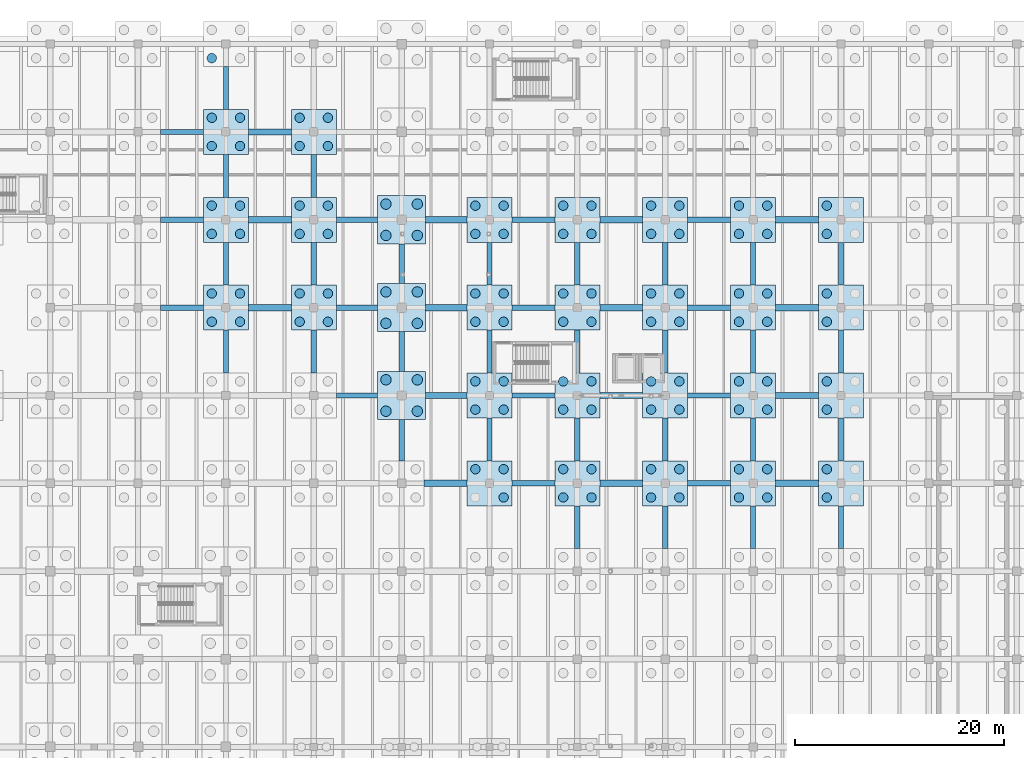
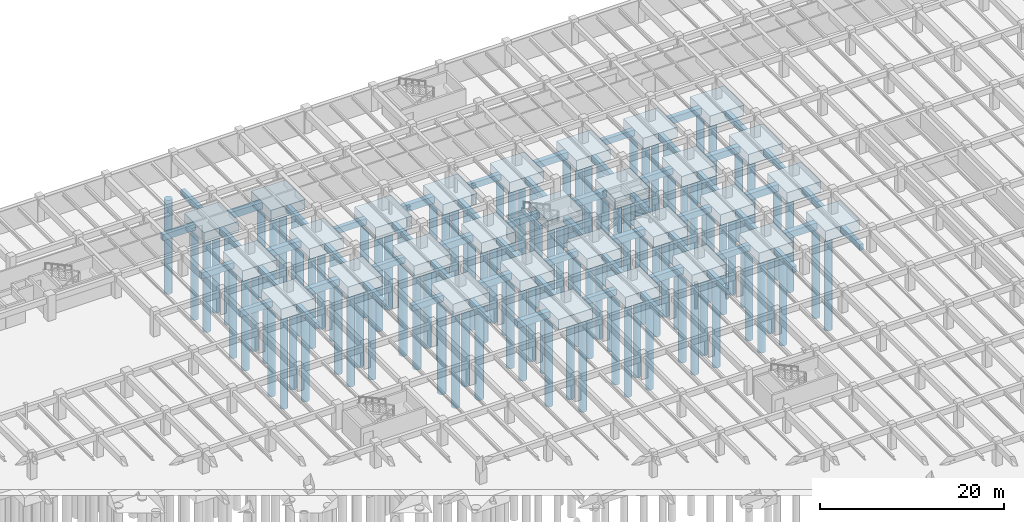
# One storey, part 8 of 70: 108 piles, 87 footings.
"""IFC4 building model written with IfcOpenShell, lengths in metres."""

from ifc_helpers import new_model, si_unit, direction, frame, origin, origin_2d, place, context, subcontext, project, spatial, rectangle, circle, extrude, material, material_profile, profile_set, type_object, element, save


model = new_model("IFC4")

# Units and contexts
model_context = context("Model", 3, precision=1e-05, world=origin(), true_north=direction((0.0, 1.0)))
body_context = subcontext(model_context, "Body", "Model", "MODEL_VIEW")
ifc_project = project(units=[si_unit("LENGTHUNIT", "METRE"), si_unit("AREAUNIT", "SQUARE_METRE"), si_unit("VOLUMEUNIT", "CUBIC_METRE"), si_unit("PLANEANGLEUNIT", "RADIAN"), si_unit("MASSUNIT", "GRAM", prefix="KILO")], contexts=[model_context])

# Site, building, storey
site_placement = place(None, origin())
site = spatial("IfcSite", under=ifc_project, at=site_placement, CompositionType="ELEMENT")
building_placement = place(site_placement, origin())
building = spatial("IfcBuilding", under=site, at=building_placement, Name="Cumbredor Promenade Congress Hotel", CompositionType="ELEMENT")
storey_placement = place(building_placement, frame((0.0, 0.0, -7.56005859375)))
storey = spatial("IfcBuildingStorey", under=building, at=storey_placement, Name="B02", CompositionType="ELEMENT", Elevation=-7.56005859375)

# Piles
ifc_material = material(Name="Concrete C40/50", Category="concrete")
ifc_material_profile_1 = material_profile(ifc_material, circle(Radius=0.449951171875, at=origin_2d()), Name="PILE D900")
ifc_profile_set_1 = profile_set([ifc_material_profile_1], Name="Concrete C40/50")
pile_type_1 = type_object("IfcPileType", Name="Bored Concrete Pile BP-02 900mm", PredefinedType="BORED", material=ifc_profile_set_1)
for number, where, z_axis, x_axis, name in (
    (1, (65.85009765625, 91.050048828125, -1.75), (0.0, 0.0, -1.0), (1.0, 0.0, 0.0), "Bored Pile PC-02-110.1"),
    (2, (68.550048828125, 91.050048828125, -1.75), (0.0, 0.0, -1.0), (1.0, 0.0, 0.0), "Bored Pile PC-02-110.2"),
    (3, (65.85009765625, 93.75, -1.75), (0.0, 0.0, -1.0), (1.0, 0.0, 0.0), "Bored Pile PC-02-110.3"),
    (4, (68.550048828125, 93.75, -1.75), (0.0, 0.0, -1.0), (1.0, 0.0, 0.0), "Bored Pile PC-02-110.4"),
    (5, (65.85009765625, 99.449951171875, -1.75), (0.0, 0.0, -1.0), (1.0, 0.0, 0.0), "Bored Pile PC-02-111.1"),
    (6, (68.550048828125, 99.449951171875, -1.75), (0.0, 0.0, -1.0), (1.0, 0.0, 0.0), "Bored Pile PC-02-111.2"),
    (7, (65.85009765625, 102.14990234375, -1.75), (0.0, 0.0, -1.0), (1.0, 0.0, 0.0), "Bored Pile PC-02-111.3"),
    (8, (68.550048828125, 102.14990234375, -1.75), (0.0, 0.0, -1.0), (1.0, 0.0, 0.0), "Bored Pile PC-02-111.4"),
    (9, (65.85009765625, 107.85009765625, -1.75), (0.0, 0.0, -1.0), (1.0, 0.0, 0.0), "Bored Pile PC-02-112.1"),
    (10, (68.550048828125, 107.85009765625, -1.75), (0.0, 0.0, -1.0), (1.0, 0.0, 0.0), "Bored Pile PC-02-112.2"),
    (11, (65.85009765625, 110.550048828125, -1.75), (0.0, 0.0, -1.0), (1.0, 0.0, 0.0), "Bored Pile PC-02-112.3"),
    (12, (68.550048828125, 110.550048828125, -1.75), (0.0, 0.0, -1.0), (1.0, 0.0, 0.0), "Bored Pile PC-02-112.4"),
    (13, (65.85009765625, 116.25, -1.75), (0.0, 0.0, -1.0), (1.0, 0.0, 0.0), "Bored Pile PC-02-113.1"),
    (14, (74.25, 91.050048828125, -1.75), (0.0, 0.0, -1.0), (1.0, 0.0, 0.0), "Bored Pile PC-02-124.1"),
    (15, (76.949951171875, 91.050048828125, -1.75), (0.0, 0.0, -1.0), (1.0, 0.0, 0.0), "Bored Pile PC-02-124.2"),
    (16, (74.25, 93.75, -1.75), (0.0, 0.0, -1.0), (1.0, 0.0, 0.0), "Bored Pile PC-02-124.3"),
    (17, (76.949951171875, 93.75, -1.75), (0.0, 0.0, -1.0), (1.0, 0.0, 0.0), "Bored Pile PC-02-124.4"),
    (18, (74.25, 99.449951171875, -1.75), (0.0, 0.0, -1.0), (1.0, 0.0, 0.0), "Bored Pile PC-02-125.1"),
    (19, (76.949951171875, 99.449951171875, -1.75), (0.0, 0.0, -1.0), (1.0, 0.0, 0.0), "Bored Pile PC-02-125.2"),
    (20, (74.25, 102.14990234375, -1.75), (0.0, 0.0, -1.0), (1.0, 0.0, 0.0), "Bored Pile PC-02-125.3"),
    (21, (76.949951171875, 102.14990234375, -1.75), (0.0, 0.0, -1.0), (1.0, 0.0, 0.0), "Bored Pile PC-02-125.4"),
    (22, (74.25, 107.85009765625, -1.75), (0.0, 0.0, -1.0), (1.0, 0.0, 0.0), "Bored Pile PC-02-126.1"),
    (23, (76.949951171875, 107.85009765625, -1.75), (0.0, 0.0, -1.0), (1.0, 0.0, 0.0), "Bored Pile PC-02-126.2"),
    (24, (74.25, 110.550048828125, -1.75), (0.0, 0.0, -1.0), (1.0, 0.0, 0.0), "Bored Pile PC-02-126.3"),
    (25, (76.949951171875, 110.550048828125, -1.75), (0.0, 0.0, -1.0), (1.0, 0.0, 0.0), "Bored Pile PC-02-126.4"),
    (26, (93.75, 74.25, -1.75), (0.0, 0.0, -1.0), (1.0, 0.0, 0.0), "Bored Pile PC-02-150.2"),
    (27, (91.050048828125, 76.949951171875, -1.75), (0.0, 0.0, -1.0), (1.0, 0.0, 0.0), "Bored Pile PC-02-150.3"),
    (28, (93.75, 76.949951171875, -1.75), (0.0, 0.0, -1.0), (1.0, 0.0, 0.0), "Bored Pile PC-02-150.4"),
    (29, (91.050048828125, 82.64990234375, -1.75), (0.0, 0.0, -1.0), (1.0, 0.0, 0.0), "Bored Pile PC-02-151.1"),
    (30, (93.75, 82.64990234375, -1.75), (0.0, 0.0, -1.0), (1.0, 0.0, 0.0), "Bored Pile PC-02-151.2"),
    (31, (91.050048828125, 85.35009765625, -1.75), (0.0, 0.0, -1.0), (1.0, 0.0, 0.0), "Bored Pile PC-02-151.3"),
    (32, (93.75, 85.35009765625, -1.75), (0.0, 0.0, -1.0), (1.0, 0.0, 0.0), "Bored Pile PC-02-151.4"),
    (33, (91.050048828125, 91.050048828125, -1.75), (0.0, 0.0, -1.0), (1.0, 0.0, 0.0), "Bored Pile PC-02-152.1"),
    (34, (93.75, 91.050048828125, -1.75), (0.0, 0.0, -1.0), (1.0, 0.0, 0.0), "Bored Pile PC-02-152.2"),
    (35, (91.050048828125, 93.75, -1.75), (0.0, 0.0, -1.0), (1.0, 0.0, 0.0), "Bored Pile PC-02-152.3"),
    (36, (93.75, 93.75, -1.75), (0.0, 0.0, -1.0), (1.0, 0.0, 0.0), "Bored Pile PC-02-152.4"),
    (37, (91.050048828125, 99.449951171875, -1.75), (0.0, 0.0, -1.0), (1.0, 0.0, 0.0), "Bored Pile PC-02-153.1"),
    (38, (93.75, 99.449951171875, -1.75), (0.0, 0.0, -1.0), (1.0, 0.0, 0.0), "Bored Pile PC-02-153.2"),
    (39, (91.050048828125, 102.14990234375, -1.75), (0.0, 0.0, -1.0), (1.0, 0.0, 0.0), "Bored Pile PC-02-153.3"),
    (40, (93.75, 102.14990234375, -1.75), (0.0, 0.0, -1.0), (1.0, 0.0, 0.0), "Bored Pile PC-02-153.4"),
    (41, (99.449951171875, 74.25, -1.75), (0.0, 0.0, -1.0), (1.0, 0.0, 0.0), "Bored Pile PC-02-164.1"),
    (42, (102.14990234375, 74.25, -1.75), (0.0, 0.0, -1.0), (1.0, 0.0, 0.0), "Bored Pile PC-02-164.2"),
    (43, (99.449951171875, 76.949951171875, -1.75), (0.0, 0.0, -1.0), (1.0, 0.0, 0.0), "Bored Pile PC-02-164.3"),
    (44, (102.14990234375, 76.949951171875, -1.75), (0.0, 0.0, -1.0), (1.0, 0.0, 0.0), "Bored Pile PC-02-164.4"),
    (45, (99.449951171875, 82.64990234375, -1.75), (0.0, 0.0, -1.0), (1.0, 0.0, 0.0), "Bored Pile PC-02-165.1"),
    (46, (102.14990234375, 82.64990234375, -1.75), (0.0, 0.0, -1.0), (1.0, 0.0, 0.0), "Bored Pile PC-02-165.2"),
    (47, (99.449951171875, 85.35009765625, -1.75), (0.0, 0.0, -1.0), (1.0, 0.0, 0.0), "Bored Pile PC-02-165.3"),
    (48, (102.14990234375, 85.35009765625, -1.75), (0.0, 0.0, -1.0), (1.0, 0.0, 0.0), "Bored Pile PC-02-165.4"),
    (49, (99.449951171875, 91.050048828125, -1.75), (0.0, 0.0, -1.0), (1.0, 0.0, 0.0), "Bored Pile PC-02-166.1"),
    (50, (102.14990234375, 91.050048828125, -1.75), (0.0, 0.0, -1.0), (1.0, 0.0, 0.0), "Bored Pile PC-02-166.2"),
    (51, (99.449951171875, 93.75, -1.75), (0.0, 0.0, -1.0), (1.0, 0.0, 0.0), "Bored Pile PC-02-166.3"),
    (52, (102.14990234375, 93.75, -1.75), (0.0, 0.0, -1.0), (1.0, 0.0, 0.0), "Bored Pile PC-02-166.4"),
    (53, (99.449951171875, 99.449951171875, -1.75), (0.0, 0.0, -1.0), (1.0, 0.0, 0.0), "Bored Pile PC-02-167.1"),
    (54, (102.14990234375, 99.449951171875, -1.75), (0.0, 0.0, -1.0), (1.0, 0.0, 0.0), "Bored Pile PC-02-167.2"),
    (55, (99.449951171875, 102.14990234375, -1.75), (0.0, 0.0, -1.0), (1.0, 0.0, 0.0), "Bored Pile PC-02-167.3"),
    (56, (102.14990234375, 102.14990234375, -1.75), (0.0, 0.0, -1.0), (1.0, 0.0, 0.0), "Bored Pile PC-02-167.4"),
    (57, (107.85009765625, 74.25, -1.75), (0.0, 0.0, -1.0), (1.0, 0.0, 0.0), "Bored Pile PC-02-178.1"),
    (58, (110.550048828125, 74.25, -1.75), (0.0, 0.0, -1.0), (1.0, 0.0, 0.0), "Bored Pile PC-02-178.2"),
    (59, (107.85009765625, 76.949951171875, -1.75), (0.0, 0.0, -1.0), (1.0, 0.0, 0.0), "Bored Pile PC-02-178.3"),
    (60, (110.550048828125, 76.949951171875, -1.75), (0.0, 0.0, -1.0), (1.0, 0.0, 0.0), "Bored Pile PC-02-178.4"),
    (61, (107.85009765625, 82.64990234375, -1.75), (0.0, 0.0, -1.0), (1.0, 0.0, 0.0), "Bored Pile PC-02-179.1"),
    (62, (110.550048828125, 82.64990234375, -1.75), (0.0, 0.0, -1.0), (1.0, 0.0, 0.0), "Bored Pile PC-02-179.2"),
    (63, (107.85009765625, 85.35009765625, -1.75), (0.0, 0.0, -1.0), (1.0, 0.0, 0.0), "Bored Pile PC-02-179.3"),
    (64, (110.550048828125, 85.35009765625, -1.75), (0.0, 0.0, -1.0), (1.0, 0.0, 0.0), "Bored Pile PC-02-179.4"),
    (65, (107.85009765625, 91.050048828125, -1.75), (0.0, 0.0, -1.0), (1.0, 0.0, 0.0), "Bored Pile PC-02-180.1"),
    (66, (110.550048828125, 91.050048828125, -1.75), (0.0, 0.0, -1.0), (1.0, 0.0, 0.0), "Bored Pile PC-02-180.2"),
    (67, (107.85009765625, 93.75, -1.75), (0.0, 0.0, -1.0), (1.0, 0.0, 0.0), "Bored Pile PC-02-180.3"),
    (68, (110.550048828125, 93.75, -1.75), (0.0, 0.0, -1.0), (1.0, 0.0, 0.0), "Bored Pile PC-02-180.4"),
    (69, (107.85009765625, 99.449951171875, -1.75), (0.0, 0.0, -1.0), (1.0, 0.0, 0.0), "Bored Pile PC-02-181.1"),
    (70, (110.550048828125, 99.449951171875, -1.75), (0.0, 0.0, -1.0), (1.0, 0.0, 0.0), "Bored Pile PC-02-181.2"),
    (71, (107.85009765625, 102.14990234375, -1.75), (0.0, 0.0, -1.0), (1.0, 0.0, 0.0), "Bored Pile PC-02-181.3"),
    (72, (110.550048828125, 102.14990234375, -1.75), (0.0, 0.0, -1.0), (1.0, 0.0, 0.0), "Bored Pile PC-02-181.4"),
    (73, (116.25, 74.25, -1.75), (0.0, 0.0, -1.0), (1.0, 0.0, 0.0), "Bored Pile PC-02-192.1"),
    (74, (118.949951171875, 74.25, -1.75), (0.0, 0.0, -1.0), (1.0, 0.0, 0.0), "Bored Pile PC-02-192.2"),
    (75, (116.25, 76.949951171875, -1.75), (0.0, 0.0, -1.0), (1.0, 0.0, 0.0), "Bored Pile PC-02-192.3"),
    (76, (118.949951171875, 76.949951171875, -1.75), (0.0, 0.0, -1.0), (1.0, 0.0, 0.0), "Bored Pile PC-02-192.4"),
    (77, (116.25, 82.64990234375, -1.75), (0.0, 0.0, -1.0), (1.0, 0.0, 0.0), "Bored Pile PC-02-193.1"),
    (78, (118.949951171875, 82.64990234375, -1.75), (0.0, 0.0, -1.0), (1.0, 0.0, 0.0), "Bored Pile PC-02-193.2"),
    (79, (116.25, 85.35009765625, -1.75), (0.0, 0.0, -1.0), (1.0, 0.0, 0.0), "Bored Pile PC-02-193.3"),
    (80, (118.949951171875, 85.35009765625, -1.75), (0.0, 0.0, -1.0), (1.0, 0.0, 0.0), "Bored Pile PC-02-193.4"),
    (81, (116.25, 91.050048828125, -1.75), (0.0, 0.0, -1.0), (1.0, 0.0, 0.0), "Bored Pile PC-02-194.1"),
    (82, (118.949951171875, 91.050048828125, -1.75), (0.0, 0.0, -1.0), (1.0, 0.0, 0.0), "Bored Pile PC-02-194.2"),
    (83, (116.25, 93.75, -1.75), (0.0, 0.0, -1.0), (1.0, 0.0, 0.0), "Bored Pile PC-02-194.3"),
    (84, (118.949951171875, 93.75, -1.75), (0.0, 0.0, -1.0), (1.0, 0.0, 0.0), "Bored Pile PC-02-194.4"),
    (85, (116.25, 99.449951171875, -1.75), (0.0, 0.0, -1.0), (1.0, 0.0, 0.0), "Bored Pile PC-02-195.1"),
    (86, (118.949951171875, 99.449951171875, -1.75), (0.0, 0.0, -1.0), (1.0, 0.0, 0.0), "Bored Pile PC-02-195.2"),
    (87, (116.25, 102.14990234375, -1.75), (0.0, 0.0, -1.0), (1.0, 0.0, 0.0), "Bored Pile PC-02-195.3"),
    (88, (118.949951171875, 102.14990234375, -1.75), (0.0, 0.0, -1.0), (1.0, 0.0, 0.0), "Bored Pile PC-02-195.4"),
    (89, (124.64990234375, 74.25, -1.75), (0.0, 0.0, -1.0), (1.0, 0.0, 0.0), "Bored Pile PC-02-206.1"),
    (90, (124.64990234375, 76.949951171875, -1.75), (0.0, 0.0, -1.0), (1.0, 0.0, 0.0), "Bored Pile PC-02-206.3"),
    (91, (124.64990234375, 82.64990234375, -1.75), (0.0, 0.0, -1.0), (1.0, 0.0, 0.0), "Bored Pile PC-02-207.1"),
    (92, (124.64990234375, 85.35009765625, -1.75), (0.0, 0.0, -1.0), (1.0, 0.0, 0.0), "Bored Pile PC-02-207.3"),
    (93, (124.64990234375, 91.050048828125, -1.75), (0.0, 0.0, -1.0), (1.0, 0.0, 0.0), "Bored Pile PC-02-208.1"),
    (94, (124.64990234375, 93.75, -1.75), (0.0, 0.0, -1.0), (1.0, 0.0, 0.0), "Bored Pile PC-02-208.3"),
    (95, (124.64990234375, 99.449951171875, -1.75), (0.0, 0.0, -1.0), (1.0, 0.0, 0.0), "Bored Pile PC-02-209.1"),
    (96, (124.64990234375, 102.14990234375, -1.75), (0.0, 0.0, -1.0), (1.0, 0.0, 0.0), "Bored Pile PC-02-209.3"),
):
    element("IfcPile", number, at=place(storey_placement, frame(where, z_axis=z_axis, x_axis=x_axis)), inside=storey, type_object=pile_type_1, Name=name, PredefinedType="BORED", context=body_context, shape_type="SweptSolid", body=[
        extrude(circle(Radius=0.449951171875, at=origin_2d()), origin(), (0.0, 0.0, 1.0), 12.5),
    ])
ifc_material_profile_2 = material_profile(ifc_material, circle(Radius=0.5, at=origin_2d()), Name="PILE D1000")
ifc_profile_set_2 = profile_set([ifc_material_profile_2], Name="Concrete C40/50")
pile_type_2 = type_object("IfcPileType", Name="Bored Concrete Pile BP-03 1000mm", PredefinedType="BORED", material=ifc_profile_set_2)
for number, where, z_axis, x_axis, name in (
    (97, (82.5, 82.5, -1.949951171875), (0.0, 0.0, -1.0), (1.0, 0.0, 0.0), "Bored Pile PC-03-137.1"),
    (98, (85.5, 82.5, -1.949951171875), (0.0, 0.0, -1.0), (1.0, 0.0, 0.0), "Bored Pile PC-03-137.2"),
    (99, (82.5, 85.5, -1.949951171875), (0.0, 0.0, -1.0), (1.0, 0.0, 0.0), "Bored Pile PC-03-137.3"),
    (100, (85.5, 85.5, -1.949951171875), (0.0, 0.0, -1.0), (1.0, 0.0, 0.0), "Bored Pile PC-03-137.4"),
    (101, (82.5, 90.89990234375, -1.949951171875), (0.0, 0.0, -1.0), (1.0, 0.0, 0.0), "Bored Pile PC-03-138.1"),
    (102, (85.5, 90.89990234375, -1.949951171875), (0.0, 0.0, -1.0), (1.0, 0.0, 0.0), "Bored Pile PC-03-138.2"),
    (103, (82.5, 93.89990234375, -1.949951171875), (0.0, 0.0, -1.0), (1.0, 0.0, 0.0), "Bored Pile PC-03-138.3"),
    (104, (85.5, 93.89990234375, -1.949951171875), (0.0, 0.0, -1.0), (1.0, 0.0, 0.0), "Bored Pile PC-03-138.4"),
    (105, (82.5, 99.300048828125, -1.949951171875), (0.0, 0.0, -1.0), (1.0, 0.0, 0.0), "Bored Pile PC-03-139.1"),
    (106, (85.5, 99.300048828125, -1.949951171875), (0.0, 0.0, -1.0), (1.0, 0.0, 0.0), "Bored Pile PC-03-139.2"),
    (107, (82.5, 102.300048828125, -1.949951171875), (0.0, 0.0, -1.0), (1.0, 0.0, 0.0), "Bored Pile PC-03-139.3"),
    (108, (85.5, 102.300048828125, -1.949951171875), (0.0, 0.0, -1.0), (1.0, 0.0, 0.0), "Bored Pile PC-03-139.4"),
):
    element("IfcPile", number, at=place(storey_placement, frame(where, z_axis=z_axis, x_axis=x_axis)), inside=storey, type_object=pile_type_2, Name=name, PredefinedType="BORED", context=body_context, shape_type="SweptSolid", body=[
        extrude(circle(Radius=0.5, at=origin_2d()), origin(), (0.0, 0.0, 1.0), 12.800048828125),
    ])

# Footings
ifc_material_profile_3 = material_profile(ifc_material, rectangle(XDim=0.5, YDim=0.800048828125, at=origin_2d()), Name="FB 500x800")
ifc_profile_set_3 = profile_set([ifc_material_profile_3], Name="Concrete C40/50")
footing_type_1 = type_object("IfcFootingType", Name="Concrete Footing Tie Beam FB-01 500x800", PredefinedType="FOOTING_BEAM", material=ifc_profile_set_3)
for number, where, z_axis, x_axis, name in (
    (109, (60.951904296875, 92.39990234375, -0.89990234375), (1.0, 0.0, 0.0), (0.0, 1.0, 0.0), "Seismic Footing Tie Beam FB-175"),
    (110, (60.951904296875, 100.800048828125, -0.89990234375), (1.0, 0.0, 0.0), (0.0, 1.0, 0.0), "Seismic Footing Tie Beam FB-177"),
    (111, (60.951904296875, 109.199951171875, -0.89990234375), (1.0, 0.0, 0.0), (0.0, 1.0, 0.0), "Seismic Footing Tie Beam FB-179"),
):
    element("IfcFooting", number, at=place(storey_placement, frame(where, z_axis=z_axis, x_axis=x_axis)), inside=storey, type_object=footing_type_1, Name=name, PredefinedType="FOOTING_BEAM", context=body_context, shape_type="SweptSolid", body=[
        extrude(rectangle(XDim=0.5, YDim=0.800048828125, at=origin_2d()), origin(), (0.0, 0.0, 1.0), 4.09619140625),
    ])
for number, where, z_axis, x_axis, name in (
    (112, (67.199951171875, 86.152099609375, -0.89990234375), (0.0, 1.0, 0.0), (-1.0, 0.0, 0.0), "Seismic Footing Tie Beam FB-201"),
    (113, (67.199951171875, 94.552001953125, -0.89990234375), (0.0, 1.0, 0.0), (-1.0, 0.0, 0.0), "Seismic Footing Tie Beam FB-203"),
):
    element("IfcFooting", number, at=place(storey_placement, frame(where, z_axis=z_axis, x_axis=x_axis)), inside=storey, type_object=footing_type_1, Name=name, PredefinedType="FOOTING_BEAM", context=body_context, shape_type="SweptSolid", body=[
        extrude(rectangle(XDim=0.5, YDim=0.800048828125, at=origin_2d()), origin(), (0.0, 0.0, 1.0), 4.095947265625),
    ])
footing_1_placement = place(storey_placement, frame((67.199951171875, 102.951904296875, -0.89990234375), z_axis=(0.0, 1.0, 0.0), x_axis=(-1.0, 0.0, 0.0)))
element("IfcFooting", 114, at=footing_1_placement, inside=storey, type_object=footing_type_1, Name="Seismic Footing Tie Beam FB-205", PredefinedType="FOOTING_BEAM", context=body_context, shape_type="SweptSolid", body=[
    extrude(rectangle(XDim=0.5, YDim=0.800048828125, at=origin_2d()), origin(), (0.0, 0.0, 1.0), 4.09619140625),
])
footing_2_placement = place(storey_placement, frame((67.199951171875, 111.35205078125, -0.89990234375), z_axis=(0.0, 1.0, 0.0), x_axis=(-1.0, 0.0, 0.0)))
element("IfcFooting", 115, at=footing_2_placement, inside=storey, type_object=footing_type_1, Name="Seismic Footing Tie Beam FB-207", PredefinedType="FOOTING_BEAM", context=body_context, shape_type="SweptSolid", body=[
    extrude(rectangle(XDim=0.5, YDim=0.800048828125, at=origin_2d()), origin(), (0.0, 0.0, 1.0), 4.095947265625),
])
footing_3_placement = place(storey_placement, frame((77.751953125, 84.0, -0.89990234375), z_axis=(1.0, 0.0, 0.0), x_axis=(0.0, 1.0, 0.0)))
element("IfcFooting", 116, at=footing_3_placement, inside=storey, type_object=footing_type_1, Name="Seismic Footing Tie Beam FB-227", PredefinedType="FOOTING_BEAM", context=body_context, shape_type="SweptSolid", body=[
    extrude(rectangle(XDim=0.5, YDim=0.800048828125, at=origin_2d()), origin(), (0.0, 0.0, 1.0), 3.946044921875),
])
footing_4_placement = place(storey_placement, frame((75.60009765625, 86.152099609375, -0.89990234375), z_axis=(0.0, 1.0, 0.0), x_axis=(-1.0, 0.0, 0.0)))
element("IfcFooting", 117, at=footing_4_placement, inside=storey, type_object=footing_type_1, Name="Seismic Footing Tie Beam FB-228", PredefinedType="FOOTING_BEAM", context=body_context, shape_type="SweptSolid", body=[
    extrude(rectangle(XDim=0.5, YDim=0.800048828125, at=origin_2d()), origin(), (0.0, 0.0, 1.0), 4.095947265625),
])
footing_5_placement = place(storey_placement, frame((77.751953125, 92.39990234375, -0.89990234375), z_axis=(1.0, 0.0, 0.0), x_axis=(0.0, 1.0, 0.0)))
element("IfcFooting", 118, at=footing_5_placement, inside=storey, type_object=footing_type_1, Name="Seismic Footing Tie Beam FB-229", PredefinedType="FOOTING_BEAM", context=body_context, shape_type="SweptSolid", body=[
    extrude(rectangle(XDim=0.5, YDim=0.800048828125, at=origin_2d()), origin(), (0.0, 0.0, 1.0), 3.946044921875),
])
footing_6_placement = place(storey_placement, frame((75.60009765625, 94.552001953125, -0.89990234375), z_axis=(0.0, 1.0, 0.0), x_axis=(-1.0, 0.0, 0.0)))
element("IfcFooting", 119, at=footing_6_placement, inside=storey, type_object=footing_type_1, Name="Seismic Footing Tie Beam FB-230", PredefinedType="FOOTING_BEAM", context=body_context, shape_type="SweptSolid", body=[
    extrude(rectangle(XDim=0.5, YDim=0.800048828125, at=origin_2d()), origin(), (0.0, 0.0, 1.0), 4.095947265625),
])
footing_7_placement = place(storey_placement, frame((77.751953125, 100.800048828125, -0.89990234375), z_axis=(1.0, 0.0, 0.0), x_axis=(0.0, 1.0, 0.0)))
element("IfcFooting", 120, at=footing_7_placement, inside=storey, type_object=footing_type_1, Name="Seismic Footing Tie Beam FB-231", PredefinedType="FOOTING_BEAM", context=body_context, shape_type="SweptSolid", body=[
    extrude(rectangle(XDim=0.5, YDim=0.800048828125, at=origin_2d()), origin(), (0.0, 0.0, 1.0), 3.946044921875),
])
footing_8_placement = place(storey_placement, frame((75.60009765625, 102.951904296875, -0.89990234375), z_axis=(0.0, 1.0, 0.0), x_axis=(-1.0, 0.0, 0.0)))
element("IfcFooting", 121, at=footing_8_placement, inside=storey, type_object=footing_type_1, Name="Seismic Footing Tie Beam FB-232", PredefinedType="FOOTING_BEAM", context=body_context, shape_type="SweptSolid", body=[
    extrude(rectangle(XDim=0.5, YDim=0.800048828125, at=origin_2d()), origin(), (0.0, 0.0, 1.0), 4.09619140625),
])
footing_9_placement = place(storey_placement, frame((84.0, 77.751953125, -0.89990234375), z_axis=(0.0, 1.0, 0.0), x_axis=(-1.0, 0.0, 0.0)))
element("IfcFooting", 122, at=footing_9_placement, inside=storey, type_object=footing_type_1, Name="Seismic Footing Tie Beam FB-253", PredefinedType="FOOTING_BEAM", context=body_context, shape_type="SweptSolid", body=[
    extrude(rectangle(XDim=0.5, YDim=0.800048828125, at=origin_2d()), origin(), (0.0, 0.0, 1.0), 3.946044921875),
])
footing_10_placement = place(storey_placement, frame((84.0, 86.302001953125, -0.89990234375), z_axis=(0.0, 1.0, 0.0), x_axis=(-1.0, 0.0, 0.0)))
element("IfcFooting", 123, at=footing_10_placement, inside=storey, type_object=footing_type_1, Name="Seismic Footing Tie Beam FB-255", PredefinedType="FOOTING_BEAM", context=body_context, shape_type="SweptSolid", body=[
    extrude(rectangle(XDim=0.5, YDim=0.800048828125, at=origin_2d()), origin(), (0.0, 0.0, 1.0), 3.7958984375),
])
footing_11_placement = place(storey_placement, frame((84.0, 94.701904296875, -0.89990234375), z_axis=(0.0, 1.0, 0.0), x_axis=(-1.0, 0.0, 0.0)))
element("IfcFooting", 124, at=footing_11_placement, inside=storey, type_object=footing_type_1, Name="Seismic Footing Tie Beam FB-257", PredefinedType="FOOTING_BEAM", context=body_context, shape_type="SweptSolid", body=[
    extrude(rectangle(XDim=0.5, YDim=0.800048828125, at=origin_2d()), origin(), (0.0, 0.0, 1.0), 3.796142578125),
])
for number, where, z_axis, x_axis, name in (
    (125, (94.552001953125, 75.60009765625, -0.89990234375), (1.0, 0.0, 0.0), (0.0, 1.0, 0.0), "Seismic Footing Tie Beam FB-279"),
    (126, (92.39990234375, 77.751953125, -0.89990234375), (0.0, 1.0, 0.0), (-1.0, 0.0, 0.0), "Seismic Footing Tie Beam FB-280"),
    (127, (94.552001953125, 84.0, -0.89990234375), (1.0, 0.0, 0.0), (0.0, 1.0, 0.0), "Seismic Footing Tie Beam FB-281"),
    (128, (92.39990234375, 86.152099609375, -0.89990234375), (0.0, 1.0, 0.0), (-1.0, 0.0, 0.0), "Seismic Footing Tie Beam FB-282"),
    (129, (94.552001953125, 92.39990234375, -0.89990234375), (1.0, 0.0, 0.0), (0.0, 1.0, 0.0), "Seismic Footing Tie Beam FB-283"),
    (130, (92.39990234375, 94.552001953125, -0.89990234375), (0.0, 1.0, 0.0), (-1.0, 0.0, 0.0), "Seismic Footing Tie Beam FB-284"),
    (131, (94.552001953125, 100.800048828125, -0.89990234375), (1.0, 0.0, 0.0), (0.0, 1.0, 0.0), "Seismic Footing Tie Beam FB-285"),
    (132, (100.800048828125, 69.35205078125, -0.89990234375), (0.0, 1.0, 0.0), (-1.0, 0.0, 0.0), "Seismic Footing Tie Beam FB-305"),
    (133, (100.800048828125, 77.751953125, -0.89990234375), (0.0, 1.0, 0.0), (-1.0, 0.0, 0.0), "Seismic Footing Tie Beam FB-307"),
    (134, (100.800048828125, 86.152099609375, -0.89990234375), (0.0, 1.0, 0.0), (-1.0, 0.0, 0.0), "Seismic Footing Tie Beam FB-309"),
    (135, (100.800048828125, 94.552001953125, -0.89990234375), (0.0, 1.0, 0.0), (-1.0, 0.0, 0.0), "Seismic Footing Tie Beam FB-311"),
    (136, (109.199951171875, 69.35205078125, -0.89990234375), (0.0, 1.0, 0.0), (-1.0, 0.0, 0.0), "Seismic Footing Tie Beam FB-332"),
    (137, (111.35205078125, 75.60009765625, -0.89990234375), (1.0, 0.0, 0.0), (0.0, 1.0, 0.0), "Seismic Footing Tie Beam FB-333"),
    (138, (109.199951171875, 77.751953125, -0.89990234375), (0.0, 1.0, 0.0), (-1.0, 0.0, 0.0), "Seismic Footing Tie Beam FB-334"),
    (139, (111.35205078125, 84.0, -0.89990234375), (1.0, 0.0, 0.0), (0.0, 1.0, 0.0), "Seismic Footing Tie Beam FB-335"),
    (140, (109.199951171875, 86.152099609375, -0.89990234375), (0.0, 1.0, 0.0), (-1.0, 0.0, 0.0), "Seismic Footing Tie Beam FB-336"),
    (141, (111.35205078125, 92.39990234375, -0.89990234375), (1.0, 0.0, 0.0), (0.0, 1.0, 0.0), "Seismic Footing Tie Beam FB-337"),
    (142, (109.199951171875, 94.552001953125, -0.89990234375), (0.0, 1.0, 0.0), (-1.0, 0.0, 0.0), "Seismic Footing Tie Beam FB-338"),
    (143, (111.35205078125, 100.800048828125, -0.89990234375), (1.0, 0.0, 0.0), (0.0, 1.0, 0.0), "Seismic Footing Tie Beam FB-339"),
    (144, (117.60009765625, 69.35205078125, -0.89990234375), (0.0, 1.0, 0.0), (-1.0, 0.0, 0.0), "Seismic Footing Tie Beam FB-359"),
    (145, (117.60009765625, 77.751953125, -0.89990234375), (0.0, 1.0, 0.0), (-1.0, 0.0, 0.0), "Seismic Footing Tie Beam FB-361"),
    (146, (117.60009765625, 86.152099609375, -0.89990234375), (0.0, 1.0, 0.0), (-1.0, 0.0, 0.0), "Seismic Footing Tie Beam FB-363"),
    (147, (117.60009765625, 94.552001953125, -0.89990234375), (0.0, 1.0, 0.0), (-1.0, 0.0, 0.0), "Seismic Footing Tie Beam FB-365"),
    (148, (126.0, 69.35205078125, -0.89990234375), (0.0, 1.0, 0.0), (-1.0, 0.0, 0.0), "Seismic Footing Tie Beam FB-386"),
    (149, (126.0, 77.751953125, -0.89990234375), (0.0, 1.0, 0.0), (-1.0, 0.0, 0.0), "Seismic Footing Tie Beam FB-388"),
    (150, (126.0, 86.152099609375, -0.89990234375), (0.0, 1.0, 0.0), (-1.0, 0.0, 0.0), "Seismic Footing Tie Beam FB-390"),
    (151, (126.0, 94.552001953125, -0.89990234375), (0.0, 1.0, 0.0), (-1.0, 0.0, 0.0), "Seismic Footing Tie Beam FB-392"),
):
    element("IfcFooting", number, at=place(storey_placement, frame(where, z_axis=z_axis, x_axis=x_axis)), inside=storey, type_object=footing_type_1, Name=name, PredefinedType="FOOTING_BEAM", context=body_context, shape_type="SweptSolid", body=[
        extrude(rectangle(XDim=0.5, YDim=0.800048828125, at=origin_2d()), origin(), (0.0, 0.0, 1.0), 4.095947265625),
    ])
ifc_material_profile_4 = material_profile(ifc_material, rectangle(XDim=0.60009765625, YDim=0.89990234375, at=origin_2d()), Name="FB 600x900")
ifc_profile_set_4 = profile_set([ifc_material_profile_4], Name="Concrete C40/50")
footing_type_2 = type_object("IfcFootingType", Name="Concrete Footing Tie Beam FB-02 600x900", PredefinedType="FOOTING_BEAM", material=ifc_profile_set_4)
for number, where, z_axis, x_axis, name in (
    (152, (69.35205078125, 92.39990234375, -0.949951171875), (1.0, 0.0, 0.0), (0.0, 1.0, 0.0), "Seismic Footing Tie Beam FB-202"),
    (153, (69.35205078125, 100.800048828125, -0.949951171875), (1.0, 0.0, 0.0), (0.0, 1.0, 0.0), "Seismic Footing Tie Beam FB-204"),
    (154, (69.35205078125, 109.199951171875, -0.949951171875), (1.0, 0.0, 0.0), (0.0, 1.0, 0.0), "Seismic Footing Tie Beam FB-206"),
    (155, (86.152099609375, 75.60009765625, -0.949951171875), (1.0, 0.0, 0.0), (0.0, 1.0, 0.0), "Seismic Footing Tie Beam FB-252"),
):
    element("IfcFooting", number, at=place(storey_placement, frame(where, z_axis=z_axis, x_axis=x_axis)), inside=storey, type_object=footing_type_2, Name=name, PredefinedType="FOOTING_BEAM", context=body_context, shape_type="SweptSolid", body=[
        extrude(rectangle(XDim=0.60009765625, YDim=0.89990234375, at=origin_2d()), origin(), (0.0, 0.0, 1.0), 4.095947265625),
    ])
for number, where, z_axis, x_axis, name in (
    (156, (86.302001953125, 84.0, -0.949951171875), (1.0, 0.0, 0.0), (0.0, 1.0, 0.0), "Seismic Footing Tie Beam FB-254"),
    (157, (86.302001953125, 92.39990234375, -0.949951171875), (1.0, 0.0, 0.0), (0.0, 1.0, 0.0), "Seismic Footing Tie Beam FB-256"),
    (158, (86.302001953125, 100.800048828125, -0.949951171875), (1.0, 0.0, 0.0), (0.0, 1.0, 0.0), "Seismic Footing Tie Beam FB-258"),
):
    element("IfcFooting", number, at=place(storey_placement, frame(where, z_axis=z_axis, x_axis=x_axis)), inside=storey, type_object=footing_type_2, Name=name, PredefinedType="FOOTING_BEAM", context=body_context, shape_type="SweptSolid", body=[
        extrude(rectangle(XDim=0.60009765625, YDim=0.89990234375, at=origin_2d()), origin(), (0.0, 0.0, 1.0), 3.946044921875),
    ])
for number, where, z_axis, x_axis, name in (
    (159, (102.951904296875, 75.60009765625, -0.949951171875), (1.0, 0.0, 0.0), (0.0, 1.0, 0.0), "Seismic Footing Tie Beam FB-306"),
    (160, (102.951904296875, 84.0, -0.949951171875), (1.0, 0.0, 0.0), (0.0, 1.0, 0.0), "Seismic Footing Tie Beam FB-308"),
    (161, (102.951904296875, 92.39990234375, -0.949951171875), (1.0, 0.0, 0.0), (0.0, 1.0, 0.0), "Seismic Footing Tie Beam FB-310"),
    (162, (102.951904296875, 100.800048828125, -0.949951171875), (1.0, 0.0, 0.0), (0.0, 1.0, 0.0), "Seismic Footing Tie Beam FB-312"),
):
    element("IfcFooting", number, at=place(storey_placement, frame(where, z_axis=z_axis, x_axis=x_axis)), inside=storey, type_object=footing_type_2, Name=name, PredefinedType="FOOTING_BEAM", context=body_context, shape_type="SweptSolid", body=[
        extrude(rectangle(XDim=0.60009765625, YDim=0.89990234375, at=origin_2d()), origin(), (0.0, 0.0, 1.0), 4.09619140625),
    ])
for number, where, z_axis, x_axis, name in (
    (163, (119.751953125, 75.60009765625, -0.949951171875), (1.0, 0.0, 0.0), (0.0, 1.0, 0.0), "Seismic Footing Tie Beam FB-360"),
    (164, (119.751953125, 84.0, -0.949951171875), (1.0, 0.0, 0.0), (0.0, 1.0, 0.0), "Seismic Footing Tie Beam FB-362"),
    (165, (119.751953125, 92.39990234375, -0.949951171875), (1.0, 0.0, 0.0), (0.0, 1.0, 0.0), "Seismic Footing Tie Beam FB-364"),
    (166, (119.751953125, 100.800048828125, -0.949951171875), (1.0, 0.0, 0.0), (0.0, 1.0, 0.0), "Seismic Footing Tie Beam FB-366"),
):
    element("IfcFooting", number, at=place(storey_placement, frame(where, z_axis=z_axis, x_axis=x_axis)), inside=storey, type_object=footing_type_2, Name=name, PredefinedType="FOOTING_BEAM", context=body_context, shape_type="SweptSolid", body=[
        extrude(rectangle(XDim=0.60009765625, YDim=0.89990234375, at=origin_2d()), origin(), (0.0, 0.0, 1.0), 4.095947265625),
    ])
footing_type_3 = type_object("IfcFootingType", Name="Concrete Pile Cap PC-02 4300x4300x1400", PredefinedType="PILE_CAP", material=ifc_material)
for number, where, z_axis, x_axis, name in (
    (167, (67.199951171875, 92.39990234375, -1.89990234375), (0.0, 0.0, 1.0), (1.0, 0.0, 0.0), "Pile Cap PC-02 110"),
    (168, (67.199951171875, 100.800048828125, -1.89990234375), (0.0, 0.0, 1.0), (1.0, 0.0, 0.0), "Pile Cap PC-02 111"),
    (169, (67.199951171875, 109.199951171875, -1.89990234375), (0.0, 0.0, 1.0), (1.0, 0.0, 0.0), "Pile Cap PC-02 112"),
    (170, (75.60009765625, 92.39990234375, -1.89990234375), (0.0, 0.0, 1.0), (1.0, 0.0, 0.0), "Pile Cap PC-02 124"),
    (171, (75.60009765625, 100.800048828125, -1.89990234375), (0.0, 0.0, 1.0), (1.0, 0.0, 0.0), "Pile Cap PC-02 125"),
    (172, (75.60009765625, 109.199951171875, -1.89990234375), (0.0, 0.0, 1.0), (1.0, 0.0, 0.0), "Pile Cap PC-02 126"),
    (173, (92.39990234375, 75.60009765625, -1.89990234375), (0.0, 0.0, 1.0), (1.0, 0.0, 0.0), "Pile Cap PC-02 150"),
    (174, (92.39990234375, 84.0, -1.89990234375), (0.0, 0.0, 1.0), (1.0, 0.0, 0.0), "Pile Cap PC-02 151"),
    (175, (92.39990234375, 92.39990234375, -1.89990234375), (0.0, 0.0, 1.0), (1.0, 0.0, 0.0), "Pile Cap PC-02 152"),
    (176, (92.39990234375, 100.800048828125, -1.89990234375), (0.0, 0.0, 1.0), (1.0, 0.0, 0.0), "Pile Cap PC-02 153"),
    (177, (100.800048828125, 75.60009765625, -1.89990234375), (0.0, 0.0, 1.0), (1.0, 0.0, 0.0), "Pile Cap PC-02 164"),
    (178, (100.800048828125, 84.0, -1.89990234375), (0.0, 0.0, 1.0), (1.0, 0.0, 0.0), "Pile Cap PC-02 165"),
    (179, (100.800048828125, 92.39990234375, -1.89990234375), (0.0, 0.0, 1.0), (1.0, 0.0, 0.0), "Pile Cap PC-02 166"),
    (180, (100.800048828125, 100.800048828125, -1.89990234375), (0.0, 0.0, 1.0), (1.0, 0.0, 0.0), "Pile Cap PC-02 167"),
    (181, (109.199951171875, 75.60009765625, -1.89990234375), (0.0, 0.0, 1.0), (1.0, 0.0, 0.0), "Pile Cap PC-02 178"),
    (182, (109.199951171875, 84.0, -1.89990234375), (0.0, 0.0, 1.0), (1.0, 0.0, 0.0), "Pile Cap PC-02 179"),
    (183, (109.199951171875, 92.39990234375, -1.89990234375), (0.0, 0.0, 1.0), (1.0, 0.0, 0.0), "Pile Cap PC-02 180"),
    (184, (109.199951171875, 100.800048828125, -1.89990234375), (0.0, 0.0, 1.0), (1.0, 0.0, 0.0), "Pile Cap PC-02 181"),
    (185, (117.60009765625, 75.60009765625, -1.89990234375), (0.0, 0.0, 1.0), (1.0, 0.0, 0.0), "Pile Cap PC-02 192"),
    (186, (117.60009765625, 84.0, -1.89990234375), (0.0, 0.0, 1.0), (1.0, 0.0, 0.0), "Pile Cap PC-02 193"),
    (187, (117.60009765625, 92.39990234375, -1.89990234375), (0.0, 0.0, 1.0), (1.0, 0.0, 0.0), "Pile Cap PC-02 194"),
    (188, (117.60009765625, 100.800048828125, -1.89990234375), (0.0, 0.0, 1.0), (1.0, 0.0, 0.0), "Pile Cap PC-02 195"),
    (189, (126.0, 75.60009765625, -1.89990234375), (0.0, 0.0, 1.0), (1.0, 0.0, 0.0), "Pile Cap PC-02 206"),
    (190, (126.0, 84.0, -1.89990234375), (0.0, 0.0, 1.0), (1.0, 0.0, 0.0), "Pile Cap PC-02 207"),
    (191, (126.0, 92.39990234375, -1.89990234375), (0.0, 0.0, 1.0), (1.0, 0.0, 0.0), "Pile Cap PC-02 208"),
    (192, (126.0, 100.800048828125, -1.89990234375), (0.0, 0.0, 1.0), (1.0, 0.0, 0.0), "Pile Cap PC-02 209"),
):
    element("IfcFooting", number, at=place(storey_placement, frame(where, z_axis=z_axis, x_axis=x_axis)), inside=storey, type_object=footing_type_3, Name=name, PredefinedType="PILE_CAP", context=body_context, shape_type="SweptSolid", body=[
        extrude(rectangle(XDim=4.300048828125, YDim=4.300048828125, at=origin_2d()), origin(), (0.0, 0.0, 1.0), 1.39990234375),
    ])
footing_type_4 = type_object("IfcFootingType", Name="Concrete Pile Cap PC-03 4600x4600x1600", PredefinedType="PILE_CAP", material=ifc_material)
for number, where, z_axis, x_axis, name in (
    (193, (84.0, 84.0, -2.10009765625), (0.0, 0.0, 1.0), (1.0, 0.0, 0.0), "Pile Cap PC-03 137"),
    (194, (84.0, 92.39990234375, -2.10009765625), (0.0, 0.0, 1.0), (1.0, 0.0, 0.0), "Pile Cap PC-03 138"),
    (195, (84.0, 100.800048828125, -2.10009765625), (0.0, 0.0, 1.0), (1.0, 0.0, 0.0), "Pile Cap PC-03 139"),
):
    element("IfcFooting", number, at=place(storey_placement, frame(where, z_axis=z_axis, x_axis=x_axis)), inside=storey, type_object=footing_type_4, Name=name, PredefinedType="PILE_CAP", context=body_context, shape_type="SweptSolid", body=[
        extrude(rectangle(XDim=4.60009765625, YDim=4.60009765625, at=origin_2d()), origin(), (0.0, 0.0, 1.0), 1.60009765625),
    ])

save(model, "model.ifc")
